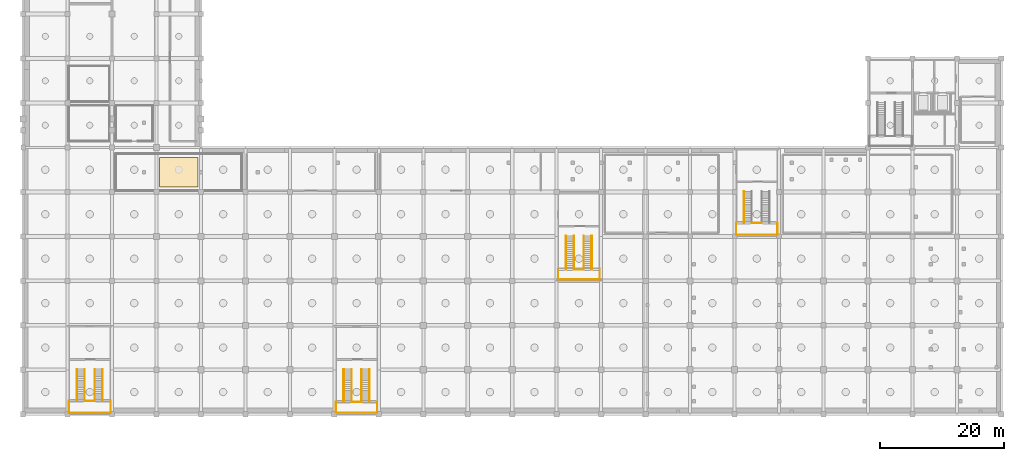
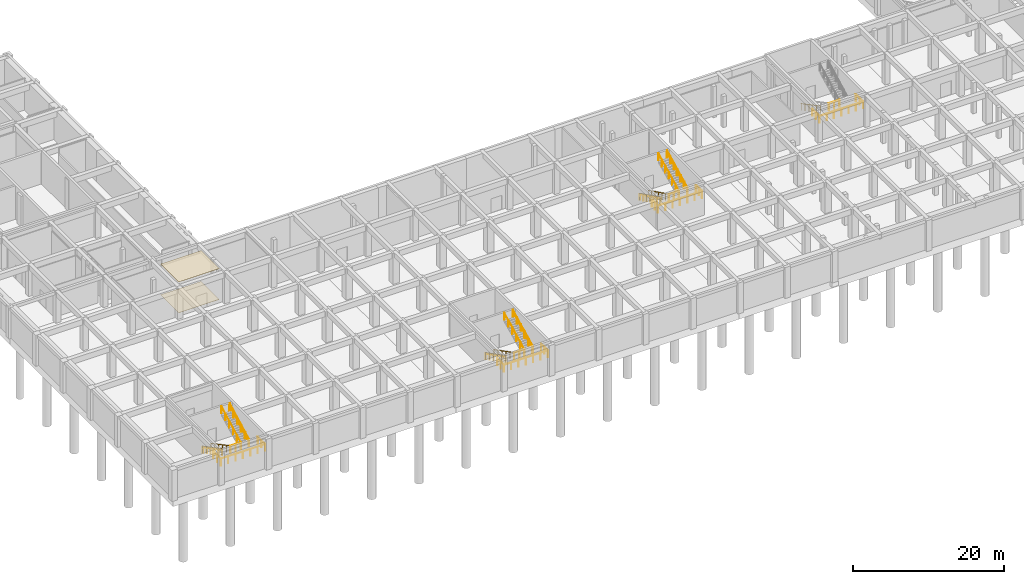
# One storey, part 12 of 15: 27 railings, 2 coverings.
"""IFC4 building model written with IfcOpenShell, lengths in metres."""

from ifc_helpers import new_model, si_unit, direction, frame, origin, origin_2d, place, context, subcontext, project, spatial, rectangle, circle, extrude, material, layer, layer_set, type_object, element, save


model = new_model("IFC4")

# Units and contexts
model_context = context("Model", 3, precision=1e-05, world=origin(), true_north=direction((0.0, 1.0)))
body_context = subcontext(model_context, "Body", "Model", "MODEL_VIEW")
ifc_project = project(units=[si_unit("LENGTHUNIT", "METRE"), si_unit("AREAUNIT", "SQUARE_METRE"), si_unit("VOLUMEUNIT", "CUBIC_METRE"), si_unit("PLANEANGLEUNIT", "RADIAN"), si_unit("MASSUNIT", "GRAM", prefix="KILO")], contexts=[model_context])

# Site, building, storey
site_placement = place(None, origin())
site = spatial("IfcSite", under=ifc_project, at=site_placement, CompositionType="ELEMENT")
building_placement = place(site_placement, origin())
building = spatial("IfcBuilding", under=site, at=building_placement, Name="Leyfeld Transit Interchange", CompositionType="ELEMENT")
storey_placement = place(building_placement, frame((0.0, 0.0, -10.800048828125)))
storey = spatial("IfcBuildingStorey", under=building, at=storey_placement, Name="B02", CompositionType="ELEMENT", Elevation=-10.800048828125)

# Coverings
ifc_material_1 = material(Name="Austrian larch acoustic slat ceiling", Category="wood")
ifc_layer_1 = layer(ifc_material_1, 0.0400390625, Name="Austrian larch acoustic slat ceiling")
ifc_layer_set_1 = layer_set([ifc_layer_1], Name="Austrian larch acoustic slat ceiling")
covering_type_1 = type_object("IfcCoveringType", Name="COV-CLG-LRC", PredefinedType="CEILING", material=ifc_layer_set_1)
covering_1_placement = place(storey_placement, frame((25.199951171875, 53.60009765625, 4.965087890625), z_axis=(0.0, 0.0, 1.0), x_axis=(1.0, 0.0, 0.0)))
element("IfcCovering", 1, at=covering_1_placement, inside=storey, type_object=covering_type_1, Name="Acoustic Slat Ceiling Platform Supervisor Office", PredefinedType="CEILING", context=body_context, shape_type="SweptSolid", body=[
    extrude(rectangle(XDim=6.199951171875, YDim=4.800048828125, at=origin_2d()), origin(), (0.0, 0.0, 1.0), 0.0400390625),
])
ifc_material_2 = material(Name="Polished Danube terrazzo flooring", Category="stone")
ifc_layer_2 = layer(ifc_material_2, 0.030029296875, Name="Polished Danube terrazzo flooring")
ifc_layer_set_2 = layer_set([ifc_layer_2], Name="Polished Danube terrazzo flooring")
covering_type_2 = type_object("IfcCoveringType", Name="COV-FLR-TRZ", PredefinedType="FLOORING", material=ifc_layer_set_2)
covering_2_placement = place(storey_placement, frame((25.199951171875, 53.60009765625, 0.0), z_axis=(0.0, 0.0, 1.0), x_axis=(1.0, 0.0, 0.0)))
element("IfcCovering", 2, at=covering_2_placement, inside=storey, type_object=covering_type_2, Name="Terrazzo Flooring Platform Supervisor Office", PredefinedType="FLOORING", context=body_context, shape_type="SweptSolid", body=[
    extrude(rectangle(XDim=6.199951171875, YDim=4.800048828125, at=origin_2d()), origin(), (0.0, 0.0, 1.0), 0.030029296875),
])

# Railings
ifc_material_3 = material(Name="Stainless steel EN 1.4404", Category="steel")
railing_type_1 = type_object("IfcRailingType", Name="RL-STR-GRD-1100", PredefinedType="GUARDRAIL", material=ifc_material_3)
railing_1_placement = place(storey_placement, frame((9.985107421875, 16.56005859375, 2.699951171875)))
element("IfcRailing", 3, at=railing_1_placement, inside=storey, type_object=railing_type_1, Name="Stair ST-06 B02 Half-Landing Inner Guard", PredefinedType="GUARDRAIL", context=body_context, shape_type="SweptSolid", body=[
    extrude(circle(Radius=0.02392578125, at=origin_2d()), frame((0.0, 0.0, 1.09619140625), z_axis=(1.0, 0.0, 0.0), x_axis=(0.0, 1.0, 0.0)), (0.0, 0.0, 1.0), 1.6298828125),
    extrude(circle(Radius=0.02099609375, at=origin_2d()), origin(), (0.0, 0.0, 1.0), 1.072021484375),
    extrude(circle(Radius=0.02099609375, at=origin_2d()), frame((0.81494140625, 0.0, 0.0)), (0.0, 0.0, 1.0), 1.072021484375),
    extrude(circle(Radius=0.02099609375, at=origin_2d()), frame((1.6298828125, 0.0, 0.0)), (0.0, 0.0, 1.0), 1.072021484375),
])
railing_2_placement = place(storey_placement, frame((7.419921875, 16.56005859375, 2.699951171875)))
element("IfcRailing", 4, at=railing_2_placement, inside=storey, type_object=railing_type_1, Name="Stair ST-06 B02 Half-Landing Perimeter Guard", PredefinedType="GUARDRAIL", context=body_context, shape_type="SweptSolid", body=[
    extrude(circle(Radius=0.02392578125, at=origin_2d()), frame((0.0, 0.0, 1.09619140625), z_axis=(0.0, -1.0, 0.0), x_axis=(1.0, 0.0, 0.0)), (0.0, 0.0, 1.0), 1.93994140625),
    extrude(circle(Radius=0.02392578125, at=origin_2d()), frame((0.0, -1.93994140625, 1.09619140625), z_axis=(1.0, 0.0, 0.0), x_axis=(0.0, 1.0, 0.0)), (0.0, 0.0, 1.0), 6.760009765625),
    extrude(circle(Radius=0.02392578125, at=origin_2d()), frame((6.760009765625, -1.93994140625, 1.09619140625), z_axis=(0.0, 1.0, 0.0), x_axis=(-1.0, 0.0, 0.0)), (0.0, 0.0, 1.0), 1.93994140625),
    extrude(circle(Radius=0.02099609375, at=origin_2d()), origin(), (0.0, 0.0, 1.0), 1.072021484375),
    extrude(circle(Radius=0.02099609375, at=origin_2d()), frame((0.0, -0.969970703125, 0.0)), (0.0, 0.0, 1.0), 1.072021484375),
    extrude(circle(Radius=0.02099609375, at=origin_2d()), frame((0.0, -1.93994140625, 0.0)), (0.0, 0.0, 1.0), 1.072021484375),
    extrude(circle(Radius=0.02099609375, at=origin_2d()), frame((1.126708984375, -1.93994140625, 0.0)), (0.0, 0.0, 1.0), 1.072021484375),
    extrude(circle(Radius=0.02099609375, at=origin_2d()), frame((2.25341796875, -1.93994140625, 0.0)), (0.0, 0.0, 1.0), 1.072021484375),
    extrude(circle(Radius=0.02099609375, at=origin_2d()), frame((3.3798828125, -1.93994140625, 0.0)), (0.0, 0.0, 1.0), 1.072021484375),
    extrude(circle(Radius=0.02099609375, at=origin_2d()), frame((4.506591796875, -1.93994140625, 0.0)), (0.0, 0.0, 1.0), 1.072021484375),
    extrude(circle(Radius=0.02099609375, at=origin_2d()), frame((5.63330078125, -1.93994140625, 0.0)), (0.0, 0.0, 1.0), 1.072021484375),
    extrude(circle(Radius=0.02099609375, at=origin_2d()), frame((6.760009765625, -1.93994140625, 0.0)), (0.0, 0.0, 1.0), 1.072021484375),
    extrude(circle(Radius=0.02099609375, at=origin_2d()), frame((6.760009765625, -0.969970703125, 0.0)), (0.0, 0.0, 1.0), 1.072021484375),
    extrude(circle(Radius=0.02099609375, at=origin_2d()), frame((6.760009765625, 0.0, 0.0)), (0.0, 0.0, 1.0), 1.072021484375),
])
for number, where, name in (
    (5, (9.985107421875, 21.699951171875, 0.0), "Stair ST-06 B02 F1 Inner Guard"),
    (6, (8.715087890625, 21.699951171875, 0.0), "Stair ST-06 B02 F1 Outer Guard"),
):
    element("IfcRailing", number, at=place(storey_placement, frame(where)), inside=storey, type_object=railing_type_1, Name=name, PredefinedType="GUARDRAIL", context=body_context, shape_type="SweptSolid", body=[
        extrude(circle(Radius=0.02392578125, at=origin_2d()), frame((0.0, 0.0, 1.09619140625), z_axis=(0.0, -0.883785858079, 0.467891608238), x_axis=(1.0, 0.0, 0.0)), (0.0, 0.0, 1.0), 5.7705078125),
        extrude(circle(Radius=0.02099609375, at=origin_2d()), origin(), (0.0, 0.0, 1.0), 1.072021484375),
        extrude(circle(Radius=0.02099609375, at=origin_2d()), frame((0.0, -1.02001953125, 0.5400390625)), (0.0, 0.0, 1.0), 1.072021484375),
        extrude(circle(Radius=0.02099609375, at=origin_2d()), frame((0.0, -2.0400390625, 1.080078125)), (0.0, 0.0, 1.0), 1.072021484375),
        extrude(circle(Radius=0.02099609375, at=origin_2d()), frame((0.0, -3.059814453125, 1.619873046875)), (0.0, 0.0, 1.0), 1.072021484375),
        extrude(circle(Radius=0.02099609375, at=origin_2d()), frame((0.0, -4.079833984375, 2.159912109375)), (0.0, 0.0, 1.0), 1.072021484375),
        extrude(circle(Radius=0.02099609375, at=origin_2d()), frame((0.0, -5.099853515625, 2.699951171875)), (0.0, 0.0, 1.0), 1.072021484375),
    ])
for number, where, name in (
    (7, (11.614990234375, 16.60009765625, 2.699951171875), "Stair ST-06 B02 F2 Inner Guard"),
    (8, (12.885009765625, 16.60009765625, 2.699951171875), "Stair ST-06 B02 F2 Outer Guard"),
):
    element("IfcRailing", number, at=place(storey_placement, frame(where)), inside=storey, type_object=railing_type_1, Name=name, PredefinedType="GUARDRAIL", context=body_context, shape_type="SweptSolid", body=[
        extrude(circle(Radius=0.02392578125, at=origin_2d()), frame((0.0, 0.0, 1.09619140625), z_axis=(0.0, 0.883768362495, 0.467924653607), x_axis=(-1.0, 0.0, 0.0)), (0.0, 0.0, 1.0), 5.7705078125),
        extrude(circle(Radius=0.02099609375, at=origin_2d()), origin(), (0.0, 0.0, 1.0), 1.072021484375),
        extrude(circle(Radius=0.02099609375, at=origin_2d()), frame((0.0, 1.02001953125, 0.5400390625)), (0.0, 0.0, 1.0), 1.072021484375),
        extrude(circle(Radius=0.02099609375, at=origin_2d()), frame((0.0, 2.0400390625, 1.080078125)), (0.0, 0.0, 1.0), 1.072021484375),
        extrude(circle(Radius=0.02099609375, at=origin_2d()), frame((0.0, 3.059814453125, 1.6201171875)), (0.0, 0.0, 1.0), 1.072021484375),
        extrude(circle(Radius=0.02099609375, at=origin_2d()), frame((0.0, 4.079833984375, 2.16015625)), (0.0, 0.0, 1.0), 1.072021484375),
        extrude(circle(Radius=0.02099609375, at=origin_2d()), frame((0.0, 5.099853515625, 2.7001953125)), (0.0, 0.0, 1.0), 1.072021484375),
    ])
railing_3_placement = place(storey_placement, frame((89.2099609375, 37.820068359375, 2.699951171875)))
element("IfcRailing", 9, at=railing_3_placement, inside=storey, type_object=railing_type_1, Name="Stair ST-07 B02 Half-Landing Inner Guard", PredefinedType="GUARDRAIL", context=body_context, shape_type="SweptSolid", body=[
    extrude(circle(Radius=0.02392578125, at=origin_2d()), frame((0.0, 0.0, 1.09619140625), z_axis=(1.0, 0.0, 0.0), x_axis=(0.0, 1.0, 0.0)), (0.0, 0.0, 1.0), 1.580078125),
    extrude(circle(Radius=0.02099609375, at=origin_2d()), origin(), (0.0, 0.0, 1.0), 1.072021484375),
    extrude(circle(Radius=0.02099609375, at=origin_2d()), frame((0.7900390625, 0.0, 0.0)), (0.0, 0.0, 1.0), 1.072021484375),
    extrude(circle(Radius=0.02099609375, at=origin_2d()), frame((1.580078125, 0.0, 0.0)), (0.0, 0.0, 1.0), 1.072021484375),
])
railing_4_placement = place(storey_placement, frame((86.639892578125, 37.820068359375, 2.699951171875)))
element("IfcRailing", 10, at=railing_4_placement, inside=storey, type_object=railing_type_1, Name="Stair ST-07 B02 Half-Landing Perimeter Guard", PredefinedType="GUARDRAIL", context=body_context, shape_type="SweptSolid", body=[
    extrude(circle(Radius=0.02392578125, at=origin_2d()), frame((0.0, 0.0, 1.09619140625), z_axis=(0.0, -1.0, 0.0), x_axis=(1.0, 0.0, 0.0)), (0.0, 0.0, 1.0), 1.580078125),
    extrude(circle(Radius=0.02392578125, at=origin_2d()), frame((0.0, -1.580078125, 1.09619140625), z_axis=(1.0, 0.0, 0.0), x_axis=(0.0, 1.0, 0.0)), (0.0, 0.0, 1.0), 6.72021484375),
    extrude(circle(Radius=0.02392578125, at=origin_2d()), frame((6.72021484375, -1.580078125, 1.09619140625), z_axis=(0.0, 1.0, 0.0), x_axis=(-1.0, 0.0, 0.0)), (0.0, 0.0, 1.0), 1.580078125),
    extrude(circle(Radius=0.02099609375, at=origin_2d()), origin(), (0.0, 0.0, 1.0), 1.072021484375),
    extrude(circle(Radius=0.02099609375, at=origin_2d()), frame((0.0, -0.7900390625, 0.0)), (0.0, 0.0, 1.0), 1.072021484375),
    extrude(circle(Radius=0.02099609375, at=origin_2d()), frame((0.0, -1.580078125, 0.0)), (0.0, 0.0, 1.0), 1.072021484375),
    extrude(circle(Radius=0.02099609375, at=origin_2d()), frame((1.1201171875, -1.580078125, 0.0)), (0.0, 0.0, 1.0), 1.072021484375),
    extrude(circle(Radius=0.02099609375, at=origin_2d()), frame((2.239990234375, -1.580078125, 0.0)), (0.0, 0.0, 1.0), 1.072021484375),
    extrude(circle(Radius=0.02099609375, at=origin_2d()), frame((3.360107421875, -1.580078125, 0.0)), (0.0, 0.0, 1.0), 1.072021484375),
    extrude(circle(Radius=0.02099609375, at=origin_2d()), frame((4.480224609375, -1.580078125, 0.0)), (0.0, 0.0, 1.0), 1.072021484375),
    extrude(circle(Radius=0.02099609375, at=origin_2d()), frame((5.60009765625, -1.580078125, 0.0)), (0.0, 0.0, 1.0), 1.072021484375),
    extrude(circle(Radius=0.02099609375, at=origin_2d()), frame((6.72021484375, -1.580078125, 0.0)), (0.0, 0.0, 1.0), 1.072021484375),
    extrude(circle(Radius=0.02099609375, at=origin_2d()), frame((6.72021484375, -0.7900390625, 0.0)), (0.0, 0.0, 1.0), 1.072021484375),
    extrude(circle(Radius=0.02099609375, at=origin_2d()), frame((6.72021484375, 0.0, 0.0)), (0.0, 0.0, 1.0), 1.072021484375),
])
for number, where, name in (
    (11, (89.2099609375, 43.300048828125, 0.0), "Stair ST-07 B02 F1 Inner Guard"),
    (12, (87.889892578125, 43.300048828125, 0.0), "Stair ST-07 B02 F1 Outer Guard"),
):
    element("IfcRailing", number, at=place(storey_placement, frame(where)), inside=storey, type_object=railing_type_1, Name=name, PredefinedType="GUARDRAIL", context=body_context, shape_type="SweptSolid", body=[
        extrude(circle(Radius=0.02392578125, at=origin_2d()), frame((0.0, 0.0, 1.09619140625), z_axis=(0.0, -0.895741871369, 0.444574515549), x_axis=(1.0, 0.0, 0.0)), (0.0, 0.0, 1.0), 6.072998046875),
        extrude(circle(Radius=0.02099609375, at=origin_2d()), origin(), (0.0, 0.0, 1.0), 1.072021484375),
        extrude(circle(Radius=0.02099609375, at=origin_2d()), frame((0.0, -0.90673828125, 0.449951171875)), (0.0, 0.0, 1.0), 1.072021484375),
        extrude(circle(Radius=0.02099609375, at=origin_2d()), frame((0.0, -1.813232421875, 0.89990234375)), (0.0, 0.0, 1.0), 1.072021484375),
        extrude(circle(Radius=0.02099609375, at=origin_2d()), frame((0.0, -2.719970703125, 1.35009765625)), (0.0, 0.0, 1.0), 1.072021484375),
        extrude(circle(Radius=0.02099609375, at=origin_2d()), frame((0.0, -3.626708984375, 1.800048828125)), (0.0, 0.0, 1.0), 1.072021484375),
        extrude(circle(Radius=0.02099609375, at=origin_2d()), frame((0.0, -4.533203125, 2.25)), (0.0, 0.0, 1.0), 1.072021484375),
        extrude(circle(Radius=0.02099609375, at=origin_2d()), frame((0.0, -5.43994140625, 2.699951171875)), (0.0, 0.0, 1.0), 1.072021484375),
    ])
for number, where, name in (
    (13, (90.7900390625, 37.860107421875, 2.699951171875), "Stair ST-07 B02 F2 Inner Guard"),
    (14, (92.110107421875, 37.860107421875, 2.699951171875), "Stair ST-07 B02 F2 Outer Guard"),
):
    element("IfcRailing", number, at=place(storey_placement, frame(where)), inside=storey, type_object=railing_type_1, Name=name, PredefinedType="GUARDRAIL", context=body_context, shape_type="SweptSolid", body=[
        extrude(circle(Radius=0.02392578125, at=origin_2d()), frame((0.0, 0.0, 1.09619140625), z_axis=(0.0, 0.895725862372, 0.444606769492), x_axis=(-1.0, 0.0, 0.0)), (0.0, 0.0, 1.0), 6.0732421875),
        extrude(circle(Radius=0.02099609375, at=origin_2d()), origin(), (0.0, 0.0, 1.0), 1.072021484375),
        extrude(circle(Radius=0.02099609375, at=origin_2d()), frame((0.0, 0.90673828125, 0.449951171875)), (0.0, 0.0, 1.0), 1.072021484375),
        extrude(circle(Radius=0.02099609375, at=origin_2d()), frame((0.0, 1.813232421875, 0.900146484375)), (0.0, 0.0, 1.0), 1.072021484375),
        extrude(circle(Radius=0.02099609375, at=origin_2d()), frame((0.0, 2.719970703125, 1.35009765625)), (0.0, 0.0, 1.0), 1.072021484375),
        extrude(circle(Radius=0.02099609375, at=origin_2d()), frame((0.0, 3.626708984375, 1.800048828125)), (0.0, 0.0, 1.0), 1.072021484375),
        extrude(circle(Radius=0.02099609375, at=origin_2d()), frame((0.0, 4.533203125, 2.250244140625)), (0.0, 0.0, 1.0), 1.072021484375),
        extrude(circle(Radius=0.02099609375, at=origin_2d()), frame((0.0, 5.43994140625, 2.7001953125)), (0.0, 0.0, 1.0), 1.072021484375),
    ])
railing_5_placement = place(storey_placement, frame((53.2099609375, 16.389892578125, 2.699951171875)))
element("IfcRailing", 15, at=railing_5_placement, inside=storey, type_object=railing_type_1, Name="Stair ST-08 B02 Half-Landing Inner Guard", PredefinedType="GUARDRAIL", context=body_context, shape_type="SweptSolid", body=[
    extrude(circle(Radius=0.02392578125, at=origin_2d()), frame((0.0, 0.0, 1.09619140625), z_axis=(1.0, 0.0, 0.0), x_axis=(0.0, 1.0, 0.0)), (0.0, 0.0, 1.0), 1.580078125),
    extrude(circle(Radius=0.02099609375, at=origin_2d()), origin(), (0.0, 0.0, 1.0), 1.072021484375),
    extrude(circle(Radius=0.02099609375, at=origin_2d()), frame((0.7900390625, 0.0, 0.0)), (0.0, 0.0, 1.0), 1.072021484375),
    extrude(circle(Radius=0.02099609375, at=origin_2d()), frame((1.580078125, 0.0, 0.0)), (0.0, 0.0, 1.0), 1.072021484375),
])
railing_6_placement = place(storey_placement, frame((50.64501953125, 16.389892578125, 2.699951171875)))
element("IfcRailing", 16, at=railing_6_placement, inside=storey, type_object=railing_type_1, Name="Stair ST-08 B02 Half-Landing Perimeter Guard", PredefinedType="GUARDRAIL", context=body_context, shape_type="SweptSolid", body=[
    extrude(circle(Radius=0.02392578125, at=origin_2d()), frame((0.0, 0.0, 1.09619140625), z_axis=(0.0, -1.0, 0.0), x_axis=(1.0, 0.0, 0.0)), (0.0, 0.0, 1.0), 1.744873046875),
    extrude(circle(Radius=0.02392578125, at=origin_2d()), frame((0.0, -1.744873046875, 1.09619140625), z_axis=(1.0, 0.0, 0.0), x_axis=(0.0, 1.0, 0.0)), (0.0, 0.0, 1.0), 6.7099609375),
    extrude(circle(Radius=0.02392578125, at=origin_2d()), frame((6.7099609375, -1.744873046875, 1.09619140625), z_axis=(0.0, 1.0, 0.0), x_axis=(-1.0, 0.0, 0.0)), (0.0, 0.0, 1.0), 1.744873046875),
    extrude(circle(Radius=0.02099609375, at=origin_2d()), origin(), (0.0, 0.0, 1.0), 1.072021484375),
    extrude(circle(Radius=0.02099609375, at=origin_2d()), frame((0.0, -0.87255859375, 0.0)), (0.0, 0.0, 1.0), 1.072021484375),
    extrude(circle(Radius=0.02099609375, at=origin_2d()), frame((0.0, -1.744873046875, 0.0)), (0.0, 0.0, 1.0), 1.072021484375),
    extrude(circle(Radius=0.02099609375, at=origin_2d()), frame((1.118408203125, -1.744873046875, 0.0)), (0.0, 0.0, 1.0), 1.072021484375),
    extrude(circle(Radius=0.02099609375, at=origin_2d()), frame((2.236572265625, -1.744873046875, 0.0)), (0.0, 0.0, 1.0), 1.072021484375),
    extrude(circle(Radius=0.02099609375, at=origin_2d()), frame((3.35498046875, -1.744873046875, 0.0)), (0.0, 0.0, 1.0), 1.072021484375),
    extrude(circle(Radius=0.02099609375, at=origin_2d()), frame((4.473388671875, -1.744873046875, 0.0)), (0.0, 0.0, 1.0), 1.072021484375),
    extrude(circle(Radius=0.02099609375, at=origin_2d()), frame((5.591552734375, -1.744873046875, 0.0)), (0.0, 0.0, 1.0), 1.072021484375),
    extrude(circle(Radius=0.02099609375, at=origin_2d()), frame((6.7099609375, -1.744873046875, 0.0)), (0.0, 0.0, 1.0), 1.072021484375),
    extrude(circle(Radius=0.02099609375, at=origin_2d()), frame((6.7099609375, -0.87255859375, 0.0)), (0.0, 0.0, 1.0), 1.072021484375),
    extrude(circle(Radius=0.02099609375, at=origin_2d()), frame((6.7099609375, 0.0, 0.0)), (0.0, 0.0, 1.0), 1.072021484375),
])
for number, where, name in (
    (17, (53.2099609375, 21.699951171875, 0.0), "Stair ST-08 B02 F1 Inner Guard"),
    (18, (51.889892578125, 21.699951171875, 0.0), "Stair ST-08 B02 F1 Outer Guard"),
):
    element("IfcRailing", number, at=place(storey_placement, frame(where)), inside=storey, type_object=railing_type_1, Name=name, PredefinedType="GUARDRAIL", context=body_context, shape_type="SweptSolid", body=[
        extrude(circle(Radius=0.02392578125, at=origin_2d()), frame((0.0, 0.0, 1.09619140625), z_axis=(0.0, -0.889997253095, 0.455965886314), x_axis=(1.0, 0.0, 0.0)), (0.0, 0.0, 1.0), 5.92138671875),
        extrude(circle(Radius=0.02099609375, at=origin_2d()), origin(), (0.0, 0.0, 1.0), 1.072021484375),
        extrude(circle(Radius=0.02099609375, at=origin_2d()), frame((0.0, -1.053955078125, 0.5400390625)), (0.0, 0.0, 1.0), 1.072021484375),
        extrude(circle(Radius=0.02099609375, at=origin_2d()), frame((0.0, -2.10791015625, 1.080078125)), (0.0, 0.0, 1.0), 1.072021484375),
        extrude(circle(Radius=0.02099609375, at=origin_2d()), frame((0.0, -3.162109375, 1.619873046875)), (0.0, 0.0, 1.0), 1.072021484375),
        extrude(circle(Radius=0.02099609375, at=origin_2d()), frame((0.0, -4.216064453125, 2.159912109375)), (0.0, 0.0, 1.0), 1.072021484375),
        extrude(circle(Radius=0.02099609375, at=origin_2d()), frame((0.0, -5.27001953125, 2.699951171875)), (0.0, 0.0, 1.0), 1.072021484375),
    ])
for number, where, name in (
    (19, (54.7900390625, 16.429931640625, 2.699951171875), "Stair ST-08 B02 F2 Inner Guard"),
    (20, (56.110107421875, 16.429931640625, 2.699951171875), "Stair ST-08 B02 F2 Outer Guard"),
):
    element("IfcRailing", number, at=place(storey_placement, frame(where)), inside=storey, type_object=railing_type_1, Name=name, PredefinedType="GUARDRAIL", context=body_context, shape_type="SweptSolid", body=[
        extrude(circle(Radius=0.02392578125, at=origin_2d()), frame((0.0, 0.0, 1.09619140625), z_axis=(0.0, 0.889980521209, 0.455998543712), x_axis=(-1.0, 0.0, 0.0)), (0.0, 0.0, 1.0), 5.92138671875),
        extrude(circle(Radius=0.02099609375, at=origin_2d()), origin(), (0.0, 0.0, 1.0), 1.072021484375),
        extrude(circle(Radius=0.02099609375, at=origin_2d()), frame((0.0, 1.053955078125, 0.5400390625)), (0.0, 0.0, 1.0), 1.072021484375),
        extrude(circle(Radius=0.02099609375, at=origin_2d()), frame((0.0, 2.10791015625, 1.080078125)), (0.0, 0.0, 1.0), 1.072021484375),
        extrude(circle(Radius=0.02099609375, at=origin_2d()), frame((0.0, 3.162109375, 1.6201171875)), (0.0, 0.0, 1.0), 1.072021484375),
        extrude(circle(Radius=0.02099609375, at=origin_2d()), frame((0.0, 4.216064453125, 2.16015625)), (0.0, 0.0, 1.0), 1.072021484375),
        extrude(circle(Radius=0.02099609375, at=origin_2d()), frame((0.0, 5.27001953125, 2.7001953125)), (0.0, 0.0, 1.0), 1.072021484375),
    ])
railing_7_placement = place(storey_placement, frame((117.985107421875, 45.360107421875, 2.699951171875)))
element("IfcRailing", 21, at=railing_7_placement, inside=storey, type_object=railing_type_1, Name="Stair ST-09 B02 Half-Landing Inner Guard", PredefinedType="GUARDRAIL", context=body_context, shape_type="SweptSolid", body=[
    extrude(circle(Radius=0.02392578125, at=origin_2d()), frame((0.0, 0.0, 1.09619140625), z_axis=(1.0, 0.0, 0.0), x_axis=(0.0, 1.0, 0.0)), (0.0, 0.0, 1.0), 1.6298828125),
    extrude(circle(Radius=0.02099609375, at=origin_2d()), origin(), (0.0, 0.0, 1.0), 1.072021484375),
    extrude(circle(Radius=0.02099609375, at=origin_2d()), frame((0.81494140625, 0.0, 0.0)), (0.0, 0.0, 1.0), 1.072021484375),
    extrude(circle(Radius=0.02099609375, at=origin_2d()), frame((1.6298828125, 0.0, 0.0)), (0.0, 0.0, 1.0), 1.072021484375),
])
railing_8_placement = place(storey_placement, frame((115.465087890625, 45.360107421875, 2.699951171875)))
element("IfcRailing", 22, at=railing_8_placement, inside=storey, type_object=railing_type_1, Name="Stair ST-09 B02 Half-Landing Perimeter Guard", PredefinedType="GUARDRAIL", context=body_context, shape_type="SweptSolid", body=[
    extrude(circle(Radius=0.02392578125, at=origin_2d()), frame((0.0, 0.0, 1.09619140625), z_axis=(0.0, -1.0, 0.0), x_axis=(1.0, 0.0, 0.0)), (0.0, 0.0, 1.0), 1.89501953125),
    extrude(circle(Radius=0.02392578125, at=origin_2d()), frame((0.0, -1.89501953125, 1.09619140625), z_axis=(1.0, 0.0, 0.0), x_axis=(0.0, 1.0, 0.0)), (0.0, 0.0, 1.0), 6.669921875),
    extrude(circle(Radius=0.02392578125, at=origin_2d()), frame((6.669921875, -1.89501953125, 1.09619140625), z_axis=(0.0, 1.0, 0.0), x_axis=(-1.0, 0.0, 0.0)), (0.0, 0.0, 1.0), 1.89501953125),
    extrude(circle(Radius=0.02099609375, at=origin_2d()), origin(), (0.0, 0.0, 1.0), 1.072021484375),
    extrude(circle(Radius=0.02099609375, at=origin_2d()), frame((0.0, -0.947509765625, 0.0)), (0.0, 0.0, 1.0), 1.072021484375),
    extrude(circle(Radius=0.02099609375, at=origin_2d()), frame((0.0, -1.89501953125, 0.0)), (0.0, 0.0, 1.0), 1.072021484375),
    extrude(circle(Radius=0.02099609375, at=origin_2d()), frame((1.111572265625, -1.89501953125, 0.0)), (0.0, 0.0, 1.0), 1.072021484375),
    extrude(circle(Radius=0.02099609375, at=origin_2d()), frame((2.223388671875, -1.89501953125, 0.0)), (0.0, 0.0, 1.0), 1.072021484375),
    extrude(circle(Radius=0.02099609375, at=origin_2d()), frame((3.3349609375, -1.89501953125, 0.0)), (0.0, 0.0, 1.0), 1.072021484375),
    extrude(circle(Radius=0.02099609375, at=origin_2d()), frame((4.446533203125, -1.89501953125, 0.0)), (0.0, 0.0, 1.0), 1.072021484375),
    extrude(circle(Radius=0.02099609375, at=origin_2d()), frame((5.558349609375, -1.89501953125, 0.0)), (0.0, 0.0, 1.0), 1.072021484375),
    extrude(circle(Radius=0.02099609375, at=origin_2d()), frame((6.669921875, -1.89501953125, 0.0)), (0.0, 0.0, 1.0), 1.072021484375),
    extrude(circle(Radius=0.02099609375, at=origin_2d()), frame((6.669921875, -0.947509765625, 0.0)), (0.0, 0.0, 1.0), 1.072021484375),
    extrude(circle(Radius=0.02099609375, at=origin_2d()), frame((6.669921875, 0.0, 0.0)), (0.0, 0.0, 1.0), 1.072021484375),
])
railing_9_placement = place(storey_placement, frame((116.715087890625, 50.5, 0.0)))
element("IfcRailing", 23, at=railing_9_placement, inside=storey, type_object=railing_type_1, Name="Stair ST-09 B02 F1 Outer Guard", PredefinedType="GUARDRAIL", context=body_context, shape_type="SweptSolid", body=[
    extrude(circle(Radius=0.02392578125, at=origin_2d()), frame((0.0, 0.0, 1.09619140625), z_axis=(0.0, -0.883795119882, 0.467874113489), x_axis=(1.0, 0.0, 0.0)), (0.0, 0.0, 1.0), 5.770751953125),
    extrude(circle(Radius=0.02099609375, at=origin_2d()), origin(), (0.0, 0.0, 1.0), 1.072021484375),
    extrude(circle(Radius=0.02099609375, at=origin_2d()), frame((0.0, -1.02001953125, 0.5400390625)), (0.0, 0.0, 1.0), 1.072021484375),
    extrude(circle(Radius=0.02099609375, at=origin_2d()), frame((0.0, -2.0400390625, 1.080078125)), (0.0, 0.0, 1.0), 1.072021484375),
    extrude(circle(Radius=0.02099609375, at=origin_2d()), frame((0.0, -3.06005859375, 1.619873046875)), (0.0, 0.0, 1.0), 1.072021484375),
    extrude(circle(Radius=0.02099609375, at=origin_2d()), frame((0.0, -4.080078125, 2.159912109375)), (0.0, 0.0, 1.0), 1.072021484375),
    extrude(circle(Radius=0.02099609375, at=origin_2d()), frame((0.0, -5.10009765625, 2.699951171875)), (0.0, 0.0, 1.0), 1.072021484375),
])
railing_type_2 = type_object("IfcRailingType", Name="RL-STR-HND-900", PredefinedType="HANDRAIL", material=ifc_material_3)
railing_10_placement = place(storey_placement, frame((8.77490234375, 21.699951171875, 0.0)))
element("IfcRailing", 24, at=railing_10_placement, inside=storey, type_object=railing_type_2, Name="Stair ST-06 B02 F1 Handrail", PredefinedType="HANDRAIL", context=body_context, shape_type="SweptSolid", body=[
    extrude(circle(Radius=0.02392578125, at=origin_2d()), frame((0.0, 0.0, 0.8759765625), z_axis=(0.0, -0.883785858079, 0.467891608238), x_axis=(1.0, 0.0, 0.0)), (0.0, 0.0, 1.0), 5.7705078125),
    extrude(circle(Radius=0.02099609375, at=origin_2d()), origin(), (0.0, 0.0, 1.0), 0.851806640625),
    extrude(circle(Radius=0.02099609375, at=origin_2d()), frame((0.0, -1.02001953125, 0.5400390625)), (0.0, 0.0, 1.0), 0.851806640625),
    extrude(circle(Radius=0.02099609375, at=origin_2d()), frame((0.0, -2.0400390625, 1.080078125)), (0.0, 0.0, 1.0), 0.851806640625),
    extrude(circle(Radius=0.02099609375, at=origin_2d()), frame((0.0, -3.059814453125, 1.619873046875)), (0.0, 0.0, 1.0), 0.851806640625),
    extrude(circle(Radius=0.02099609375, at=origin_2d()), frame((0.0, -4.079833984375, 2.159912109375)), (0.0, 0.0, 1.0), 0.851806640625),
    extrude(circle(Radius=0.02099609375, at=origin_2d()), frame((0.0, -5.099853515625, 2.699951171875)), (0.0, 0.0, 1.0), 0.851806640625),
])
railing_11_placement = place(storey_placement, frame((12.824951171875, 16.60009765625, 2.699951171875)))
element("IfcRailing", 25, at=railing_11_placement, inside=storey, type_object=railing_type_2, Name="Stair ST-06 B02 F2 Handrail", PredefinedType="HANDRAIL", context=body_context, shape_type="SweptSolid", body=[
    extrude(circle(Radius=0.02392578125, at=origin_2d()), frame((0.0, 0.0, 0.8759765625), z_axis=(0.0, 0.883768362495, 0.467924653607), x_axis=(-1.0, 0.0, 0.0)), (0.0, 0.0, 1.0), 5.7705078125),
    extrude(circle(Radius=0.02099609375, at=origin_2d()), origin(), (0.0, 0.0, 1.0), 0.851806640625),
    extrude(circle(Radius=0.02099609375, at=origin_2d()), frame((0.0, 1.02001953125, 0.5400390625)), (0.0, 0.0, 1.0), 0.851806640625),
    extrude(circle(Radius=0.02099609375, at=origin_2d()), frame((0.0, 2.0400390625, 1.080078125)), (0.0, 0.0, 1.0), 0.851806640625),
    extrude(circle(Radius=0.02099609375, at=origin_2d()), frame((0.0, 3.059814453125, 1.6201171875)), (0.0, 0.0, 1.0), 0.851806640625),
    extrude(circle(Radius=0.02099609375, at=origin_2d()), frame((0.0, 4.079833984375, 2.16015625)), (0.0, 0.0, 1.0), 0.851806640625),
    extrude(circle(Radius=0.02099609375, at=origin_2d()), frame((0.0, 5.099853515625, 2.7001953125)), (0.0, 0.0, 1.0), 0.851806640625),
])
railing_12_placement = place(storey_placement, frame((87.949951171875, 43.300048828125, 0.0)))
element("IfcRailing", 26, at=railing_12_placement, inside=storey, type_object=railing_type_2, Name="Stair ST-07 B02 F1 Handrail", PredefinedType="HANDRAIL", context=body_context, shape_type="SweptSolid", body=[
    extrude(circle(Radius=0.02392578125, at=origin_2d()), frame((0.0, 0.0, 0.8759765625), z_axis=(0.0, -0.895741871369, 0.444574515549), x_axis=(1.0, 0.0, 0.0)), (0.0, 0.0, 1.0), 6.072998046875),
    extrude(circle(Radius=0.02099609375, at=origin_2d()), origin(), (0.0, 0.0, 1.0), 0.851806640625),
    extrude(circle(Radius=0.02099609375, at=origin_2d()), frame((0.0, -0.90673828125, 0.449951171875)), (0.0, 0.0, 1.0), 0.851806640625),
    extrude(circle(Radius=0.02099609375, at=origin_2d()), frame((0.0, -1.813232421875, 0.89990234375)), (0.0, 0.0, 1.0), 0.851806640625),
    extrude(circle(Radius=0.02099609375, at=origin_2d()), frame((0.0, -2.719970703125, 1.35009765625)), (0.0, 0.0, 1.0), 0.851806640625),
    extrude(circle(Radius=0.02099609375, at=origin_2d()), frame((0.0, -3.626708984375, 1.800048828125)), (0.0, 0.0, 1.0), 0.851806640625),
    extrude(circle(Radius=0.02099609375, at=origin_2d()), frame((0.0, -4.533203125, 2.25)), (0.0, 0.0, 1.0), 0.851806640625),
    extrude(circle(Radius=0.02099609375, at=origin_2d()), frame((0.0, -5.43994140625, 2.699951171875)), (0.0, 0.0, 1.0), 0.851806640625),
])
railing_13_placement = place(storey_placement, frame((92.050048828125, 37.860107421875, 2.699951171875)))
element("IfcRailing", 27, at=railing_13_placement, inside=storey, type_object=railing_type_2, Name="Stair ST-07 B02 F2 Handrail", PredefinedType="HANDRAIL", context=body_context, shape_type="SweptSolid", body=[
    extrude(circle(Radius=0.02392578125, at=origin_2d()), frame((0.0, 0.0, 0.8759765625), z_axis=(0.0, 0.895725862372, 0.444606769492), x_axis=(-1.0, 0.0, 0.0)), (0.0, 0.0, 1.0), 6.0732421875),
    extrude(circle(Radius=0.02099609375, at=origin_2d()), origin(), (0.0, 0.0, 1.0), 0.851806640625),
    extrude(circle(Radius=0.02099609375, at=origin_2d()), frame((0.0, 0.90673828125, 0.449951171875)), (0.0, 0.0, 1.0), 0.851806640625),
    extrude(circle(Radius=0.02099609375, at=origin_2d()), frame((0.0, 1.813232421875, 0.900146484375)), (0.0, 0.0, 1.0), 0.851806640625),
    extrude(circle(Radius=0.02099609375, at=origin_2d()), frame((0.0, 2.719970703125, 1.35009765625)), (0.0, 0.0, 1.0), 0.851806640625),
    extrude(circle(Radius=0.02099609375, at=origin_2d()), frame((0.0, 3.626708984375, 1.800048828125)), (0.0, 0.0, 1.0), 0.851806640625),
    extrude(circle(Radius=0.02099609375, at=origin_2d()), frame((0.0, 4.533203125, 2.250244140625)), (0.0, 0.0, 1.0), 0.851806640625),
    extrude(circle(Radius=0.02099609375, at=origin_2d()), frame((0.0, 5.43994140625, 2.7001953125)), (0.0, 0.0, 1.0), 0.851806640625),
])
railing_14_placement = place(storey_placement, frame((51.949951171875, 21.699951171875, 0.0)))
element("IfcRailing", 28, at=railing_14_placement, inside=storey, type_object=railing_type_2, Name="Stair ST-08 B02 F1 Handrail", PredefinedType="HANDRAIL", context=body_context, shape_type="SweptSolid", body=[
    extrude(circle(Radius=0.02392578125, at=origin_2d()), frame((0.0, 0.0, 0.8759765625), z_axis=(0.0, -0.889997253095, 0.455965886314), x_axis=(1.0, 0.0, 0.0)), (0.0, 0.0, 1.0), 5.92138671875),
    extrude(circle(Radius=0.02099609375, at=origin_2d()), origin(), (0.0, 0.0, 1.0), 0.851806640625),
    extrude(circle(Radius=0.02099609375, at=origin_2d()), frame((0.0, -1.053955078125, 0.5400390625)), (0.0, 0.0, 1.0), 0.851806640625),
    extrude(circle(Radius=0.02099609375, at=origin_2d()), frame((0.0, -2.10791015625, 1.080078125)), (0.0, 0.0, 1.0), 0.851806640625),
    extrude(circle(Radius=0.02099609375, at=origin_2d()), frame((0.0, -3.162109375, 1.619873046875)), (0.0, 0.0, 1.0), 0.851806640625),
    extrude(circle(Radius=0.02099609375, at=origin_2d()), frame((0.0, -4.216064453125, 2.159912109375)), (0.0, 0.0, 1.0), 0.851806640625),
    extrude(circle(Radius=0.02099609375, at=origin_2d()), frame((0.0, -5.27001953125, 2.699951171875)), (0.0, 0.0, 1.0), 0.851806640625),
])
railing_15_placement = place(storey_placement, frame((56.050048828125, 16.429931640625, 2.699951171875)))
element("IfcRailing", 29, at=railing_15_placement, inside=storey, type_object=railing_type_2, Name="Stair ST-08 B02 F2 Handrail", PredefinedType="HANDRAIL", context=body_context, shape_type="SweptSolid", body=[
    extrude(circle(Radius=0.02392578125, at=origin_2d()), frame((0.0, 0.0, 0.8759765625), z_axis=(0.0, 0.889980521209, 0.455998543712), x_axis=(-1.0, 0.0, 0.0)), (0.0, 0.0, 1.0), 5.92138671875),
    extrude(circle(Radius=0.02099609375, at=origin_2d()), origin(), (0.0, 0.0, 1.0), 0.851806640625),
    extrude(circle(Radius=0.02099609375, at=origin_2d()), frame((0.0, 1.053955078125, 0.5400390625)), (0.0, 0.0, 1.0), 0.851806640625),
    extrude(circle(Radius=0.02099609375, at=origin_2d()), frame((0.0, 2.10791015625, 1.080078125)), (0.0, 0.0, 1.0), 0.851806640625),
    extrude(circle(Radius=0.02099609375, at=origin_2d()), frame((0.0, 3.162109375, 1.6201171875)), (0.0, 0.0, 1.0), 0.851806640625),
    extrude(circle(Radius=0.02099609375, at=origin_2d()), frame((0.0, 4.216064453125, 2.16015625)), (0.0, 0.0, 1.0), 0.851806640625),
    extrude(circle(Radius=0.02099609375, at=origin_2d()), frame((0.0, 5.27001953125, 2.7001953125)), (0.0, 0.0, 1.0), 0.851806640625),
])

save(model, "model.ifc")
